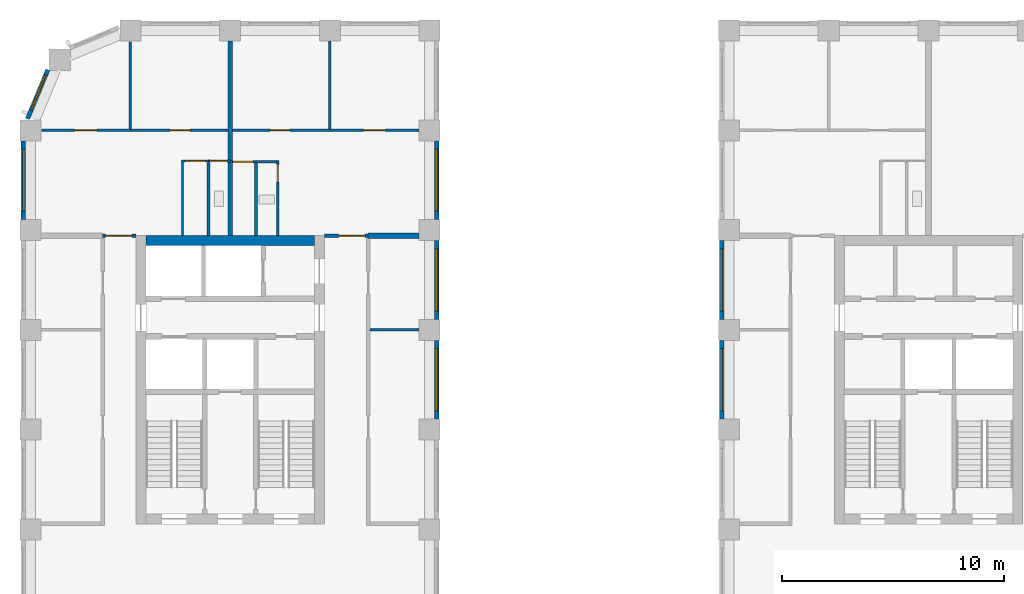
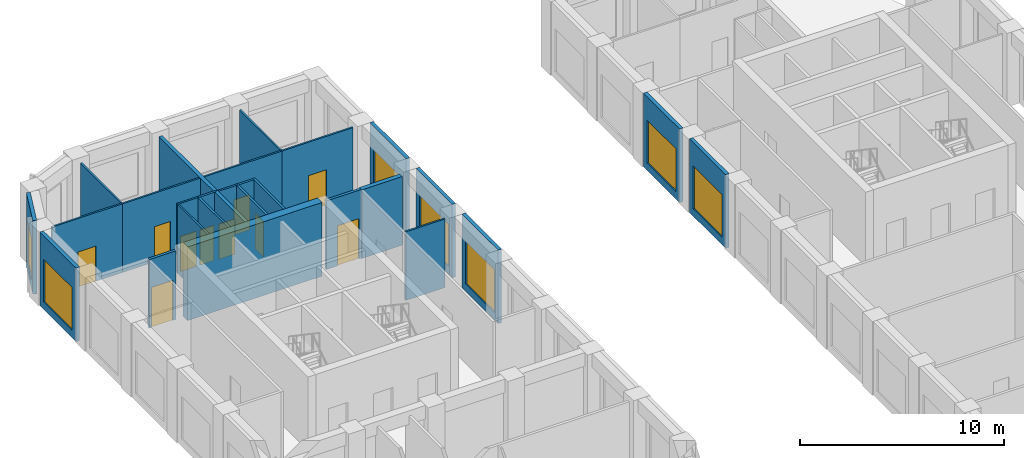
# One storey, part 7 of 13: 28 walls, 10 doors, 7 windows, 17 openings.
"""IFC4 building model written with IfcOpenShell, lengths in metres."""

from ifc_helpers import new_model, si_unit, direction, frame, frame_2d, origin, place, context, subcontext, project, spatial, rectangle, extrude, material, layer, layer_set, type_object, element, fill, save


model = new_model("IFC4")

# Units and contexts
model_context = context("Model", 3, precision=1e-05, world=origin(), true_north=direction((0.0, 1.0)))
body_context = subcontext(model_context, "Body", "Model", "MODEL_VIEW")
ifc_project = project(units=[si_unit("LENGTHUNIT", "METRE"), si_unit("AREAUNIT", "SQUARE_METRE"), si_unit("VOLUMEUNIT", "CUBIC_METRE"), si_unit("PLANEANGLEUNIT", "RADIAN"), si_unit("MASSUNIT", "GRAM", prefix="KILO")], contexts=[model_context])

# Site, building, storey
site_placement = place(None, origin())
site = spatial("IfcSite", under=ifc_project, at=site_placement, CompositionType="ELEMENT")
building_placement = place(site_placement, origin())
building = spatial("IfcBuilding", under=site, at=building_placement, Name="Girih Gate Residences", CompositionType="ELEMENT")
storey_placement = place(building_placement, frame((0.0, 0.0, 159.39990234375)))
storey = spatial("IfcBuildingStorey", under=building, at=storey_placement, Name="L44", CompositionType="ELEMENT", Elevation=159.39990234375)

# Wall
ifc_material_1 = material(Name="Gypsum board on steel studs", Category="steel")
ifc_layer_1 = layer(ifc_material_1, 0.25)
ifc_layer_set_1 = layer_set([ifc_layer_1], Name="Acoustic separating wall 250 mm")
wall_type_1 = type_object("IfcWallType", Name="Acoustic separating wall 250 mm", PredefinedType="PARTITIONING", material=ifc_layer_set_1)
wall_1_placement = place(storey_placement, frame((15.22509765625, 40.25, 0.0), z_axis=(0.0, 0.0, 1.0), x_axis=(1.0, 0.0, 0.0)))
element("IfcWall", 1, at=wall_1_placement, inside=storey, type_object=wall_type_1, Name="L44 partition", PredefinedType="PARTITIONING", context=body_context, shape_type="SweptSolid", body=[
    extrude(rectangle(XDim=2.2998046875, YDim=0.25, at=frame_2d((1.14990234375, 0.0))), origin(), (0.0, 0.0, 1.0), 4.10009765625),
])

# Wall, opening, door
ifc_layer_2 = layer(ifc_material_1, 0.14990234375)
ifc_layer_set_2 = layer_set([ifc_layer_2], Name="Compartment wall 150 mm")
wall_type_2 = type_object("IfcWallType", Name="Compartment wall 150 mm", PredefinedType="PARTITIONING", material=ifc_layer_set_2)
wall_2_placement = place(storey_placement, frame((3.25, 40.25, 0.0), z_axis=(0.0, 0.0, 1.0), x_axis=(1.0, 0.0, 0.0)))
wall_2 = element("IfcWall", 2, at=wall_2_placement, inside=storey, type_object=wall_type_2, Name="L44 partition", PredefinedType="PARTITIONING", context=body_context, shape_type="SweptSolid", body=[
    extrude(rectangle(XDim=1.5, YDim=0.14990234375, at=frame_2d((0.75, 0.0))), origin(), (0.0, 0.0, 1.0), 4.10009765625),
])
opening_1_placement = place(wall_2_placement, frame((0.1298828125, 0.0, 0.0)))
opening_1 = element("IfcOpeningElement", 3, at=opening_1_placement, cuts=wall_2, Name="Opening A44-011", PredefinedType="OPENING", context=body_context, shape_type="SweptSolid", body=[
    extrude(rectangle(XDim=1.199951171875, YDim=2.39990234375, at=frame_2d((0.60009765625, 1.199951171875))), frame((0.0, 0.0849609375, 0.0), z_axis=(0.0, -1.0, 0.0), x_axis=(1.0, 0.0, 0.0)), (0.0, 0.0, 1.0), 0.169921875),
])
ifc_material_2 = material(Name="Timber, fire-rated core", Category="wood")
door_type_1 = type_object("IfcDoorType", Name="Villa entrance door 1200x2400 FD30S", OperationType="NOTDEFINED", PredefinedType="DOOR", material=ifc_material_2)
door_1_placement = place(opening_1_placement, origin())
door_1 = element("IfcDoor", 4, at=door_1_placement, inside=storey, type_object=door_type_1, Name="Door A44-011", OperationType="SINGLE_SWING_LEFT", OverallHeight=2.39990234375, OverallWidth=1.199951171875, PredefinedType="DOOR", context=body_context, shape_type="SweptSolid", body=[
    extrude(rectangle(XDim=1.199951171875, YDim=2.39990234375, at=frame_2d((0.60009765625, 1.199951171875))), frame((0.0, 0.02490234375, 0.0), z_axis=(0.0, -1.0, 0.0), x_axis=(1.0, 0.0, 0.0)), (0.0, 0.0, 1.0), 0.050048828125),
])
fill(opening_1, door_1)

wall_3_placement = place(storey_placement, frame((13.25, 40.25, 0.0), z_axis=(0.0, 0.0, 1.0), x_axis=(1.0, 0.0, 0.0)))
wall_3 = element("IfcWall", 5, at=wall_3_placement, inside=storey, type_object=wall_type_2, Name="L44 partition", PredefinedType="PARTITIONING", context=body_context, shape_type="SweptSolid", body=[
    extrude(rectangle(XDim=1.97509765625, YDim=0.14990234375, at=frame_2d((0.987548828125, 0.0))), origin(), (0.0, 0.0, 1.0), 4.10009765625),
])
opening_2_placement = place(wall_3_placement, frame((0.64501953125, 0.0, 0.0)))
opening_2 = element("IfcOpeningElement", 6, at=opening_2_placement, cuts=wall_3, Name="Opening A44-016", PredefinedType="OPENING", context=body_context, shape_type="SweptSolid", body=[
    extrude(rectangle(XDim=1.199951171875, YDim=2.39990234375, at=frame_2d((0.60009765625, 1.199951171875))), frame((0.0, 0.0849609375, 0.0), z_axis=(0.0, -1.0, 0.0), x_axis=(1.0, 0.0, 0.0)), (0.0, 0.0, 1.0), 0.169921875),
])
door_2_placement = place(opening_2_placement, origin())
door_2 = element("IfcDoor", 7, at=door_2_placement, inside=storey, type_object=door_type_1, Name="Door A44-016", OperationType="SINGLE_SWING_RIGHT", OverallHeight=2.39990234375, OverallWidth=1.199951171875, PredefinedType="DOOR", context=body_context, shape_type="SweptSolid", body=[
    extrude(rectangle(XDim=1.199951171875, YDim=2.39990234375, at=frame_2d((0.60009765625, 1.199951171875))), frame((0.0, 0.02490234375, 0.0), z_axis=(0.0, -1.0, 0.0), x_axis=(1.0, 0.0, 0.0)), (0.0, 0.0, 1.0), 0.050048828125),
])
fill(opening_2, door_2)

# Wall
ifc_material_3 = material(Name="Concrete C60/75", Category="concrete")
ifc_layer_3 = layer(ifc_material_3, 0.449951171875)
ifc_layer_set_3 = layer_set([ifc_layer_3], Name="Core wall RC 450 Concrete C60/75")
wall_type_3 = type_object("IfcWallType", Name="Core wall RC 450 Concrete C60/75", PredefinedType="SOLIDWALL", material=ifc_layer_set_3)
wall_4_placement = place(storey_placement, frame((5.199951171875, 40.02490234375, 0.0), z_axis=(0.0, 0.0, 1.0), x_axis=(1.0, 0.0, 0.0)))
element("IfcWall", 8, at=wall_4_placement, inside=storey, type_object=wall_type_3, Name="Core wall W-N L44", PredefinedType="SOLIDWALL", context=body_context, shape_type="SweptSolid", body=[
    extrude(rectangle(XDim=7.60009765625, YDim=0.449951171875, at=frame_2d((3.800048828125, 0.0))), origin(), (0.0, 0.0, 1.0), 4.400146484375),
])

# Wall, opening, door
ifc_layer_4 = layer(ifc_material_1, 0.10009765625)
ifc_layer_set_4 = layer_set([ifc_layer_4], Name="Partition 100 mm")
wall_type_4 = type_object("IfcWallType", Name="Partition 100 mm", PredefinedType="PARTITIONING", material=ifc_layer_set_4)
wall_5_placement = place(storey_placement, frame((4.5, 45.0, 0.0), z_axis=(0.0, 0.0, 1.0), x_axis=(1.0, 0.0, 0.0)))
wall_5 = element("IfcWall", 9, at=wall_5_placement, inside=storey, type_object=wall_type_4, Name="L44 partition", PredefinedType="PARTITIONING", context=body_context, shape_type="SweptSolid", body=[
    extrude(rectangle(XDim=4.39990234375, YDim=0.10009765625, at=frame_2d((2.199951171875, 0.0))), origin(), (0.0, 0.0, 1.0), 4.10009765625),
])
opening_3_placement = place(wall_5_placement, frame((1.800048828125, 0.0, 0.0)))
opening_3 = element("IfcOpeningElement", 10, at=opening_3_placement, cuts=wall_5, Name="Opening A44-008", PredefinedType="OPENING", context=body_context, shape_type="SweptSolid", body=[
    extrude(rectangle(XDim=0.89990234375, YDim=2.10009765625, at=frame_2d((0.449951171875, 1.050048828125))), frame((0.0, 0.06005859375, 0.0), z_axis=(0.0, -1.0, 0.0), x_axis=(1.0, 0.0, 0.0)), (0.0, 0.0, 1.0), 0.1201171875),
])
ifc_material_4 = material(Name="Timber", Category="wood")
door_type_2 = type_object("IfcDoorType", Name="Bedroom door 900x2100", OperationType="NOTDEFINED", PredefinedType="DOOR", material=ifc_material_4)
door_3_placement = place(opening_3_placement, origin())
door_3 = element("IfcDoor", 11, at=door_3_placement, inside=storey, type_object=door_type_2, Name="Door A44-008", OperationType="SINGLE_SWING_RIGHT", OverallHeight=2.10009765625, OverallWidth=0.89990234375, PredefinedType="DOOR", context=body_context, shape_type="SweptSolid", body=[
    extrude(rectangle(XDim=0.89990234375, YDim=2.10009765625, at=frame_2d((0.449951171875, 1.050048828125))), frame((0.0, 0.02490234375, 0.0), z_axis=(0.0, -1.0, 0.0), x_axis=(1.0, 0.0, 0.0)), (0.0, 0.0, 1.0), 0.050048828125),
])
fill(opening_3, door_3)

# Wall
wall_6_placement = place(storey_placement, frame((4.5, 45.050048828125, 0.0), z_axis=(0.0, 0.0, 1.0), x_axis=(0.0, 1.0, 0.0)))
element("IfcWall", 12, at=wall_6_placement, inside=storey, type_object=wall_type_4, Name="L44 partition", PredefinedType="PARTITIONING", context=body_context, shape_type="SweptSolid", body=[
    extrude(rectangle(XDim=3.935791015625, YDim=0.10009765625, at=frame_2d((1.9677734375, 0.0))), origin(), (0.0, 0.0, 1.0), 4.10009765625),
])

# Wall, opening, door
wall_7_placement = place(storey_placement, frame((8.022705078125, 43.6201171875, 0.0), z_axis=(0.0, 0.0, 1.0), x_axis=(-1.0, 0.0, 0.0)))
wall_7 = element("IfcWall", 13, at=wall_7_placement, inside=storey, type_object=wall_type_4, Name="L44 partition", PredefinedType="PARTITIONING", context=body_context, shape_type="SweptSolid", body=[
    extrude(rectangle(XDim=1.22265625, YDim=0.10009765625, at=frame_2d((0.611328125, 0.0))), origin(), (0.0, 0.0, 1.0), 4.10009765625),
])
opening_4_placement = place(wall_7_placement, frame((0.136474609375, 0.0, 0.0)))
opening_4 = element("IfcOpeningElement", 14, at=opening_4_placement, cuts=wall_7, Name="Opening A44-009", PredefinedType="OPENING", context=body_context, shape_type="SweptSolid", body=[
    extrude(rectangle(XDim=0.89990234375, YDim=2.10009765625, at=frame_2d((0.449951171875, 1.050048828125))), frame((0.0, 0.06005859375, 0.0), z_axis=(0.0, -1.0, 0.0), x_axis=(1.0, 0.0, 0.0)), (0.0, 0.0, 1.0), 0.1201171875),
])
door_type_3 = type_object("IfcDoorType", Name="Kitchen door 900x2100", OperationType="NOTDEFINED", PredefinedType="DOOR", material=ifc_material_4)
door_4_placement = place(opening_4_placement, origin())
door_4 = element("IfcDoor", 15, at=door_4_placement, inside=storey, type_object=door_type_3, Name="Door A44-009", OperationType="SINGLE_SWING_LEFT", OverallHeight=2.10009765625, OverallWidth=0.89990234375, PredefinedType="DOOR", context=body_context, shape_type="SweptSolid", body=[
    extrude(rectangle(XDim=0.89990234375, YDim=2.10009765625, at=frame_2d((0.449951171875, 1.050048828125))), frame((0.0, 0.02490234375, 0.0), z_axis=(0.0, -1.0, 0.0), x_axis=(1.0, 0.0, 0.0)), (0.0, 0.0, 1.0), 0.050048828125),
])
fill(opening_4, door_4)

# Wall
wall_8_placement = place(storey_placement, frame((6.85009765625, 40.25, 0.0), z_axis=(0.0, 0.0, 1.0), x_axis=(0.0, 1.0, 0.0)))
element("IfcWall", 16, at=wall_8_placement, inside=storey, type_object=wall_type_4, Name="L44 partition", PredefinedType="PARTITIONING", context=body_context, shape_type="SweptSolid", body=[
    extrude(rectangle(XDim=3.320068359375, YDim=0.10009765625, at=frame_2d((1.66015625, 0.0))), origin(), (0.0, 0.0, 1.0), 4.10009765625),
])

# Wall, opening, door
wall_9_placement = place(storey_placement, frame((0.51416015625, 45.0, 0.0), z_axis=(0.0, 0.0, 1.0), x_axis=(1.0, 0.0, 0.0)))
wall_9 = element("IfcWall", 17, at=wall_9_placement, inside=storey, type_object=wall_type_4, Name="L44 partition", PredefinedType="PARTITIONING", context=body_context, shape_type="SweptSolid", body=[
    extrude(rectangle(XDim=3.98583984375, YDim=0.10009765625, at=frame_2d((1.992919921875, 0.0))), origin(), (0.0, 0.0, 1.0), 4.10009765625),
])
opening_5_placement = place(wall_9_placement, frame((1.473388671875, 0.0, 0.0)))
opening_5 = element("IfcOpeningElement", 18, at=opening_5_placement, cuts=wall_9, Name="Opening A44-010", PredefinedType="OPENING", context=body_context, shape_type="SweptSolid", body=[
    extrude(rectangle(XDim=1.0, YDim=2.10009765625, at=frame_2d((0.5, 1.050048828125))), frame((0.0, 0.06005859375, 0.0), z_axis=(0.0, -1.0, 0.0), x_axis=(1.0, 0.0, 0.0)), (0.0, 0.0, 1.0), 0.1201171875),
])
door_type_4 = type_object("IfcDoorType", Name="Living room door 1000x2100", OperationType="NOTDEFINED", PredefinedType="DOOR", material=ifc_material_4)
door_5_placement = place(opening_5_placement, origin())
door_5 = element("IfcDoor", 19, at=door_5_placement, inside=storey, type_object=door_type_4, Name="Door A44-010", OperationType="SINGLE_SWING_LEFT", OverallHeight=2.10009765625, OverallWidth=1.0, PredefinedType="DOOR", context=body_context, shape_type="SweptSolid", body=[
    extrude(rectangle(XDim=1.0, YDim=2.10009765625, at=frame_2d((0.5, 1.050048828125))), frame((0.0, 0.02490234375, 0.0), z_axis=(0.0, -1.0, 0.0), x_axis=(1.0, 0.0, 0.0)), (0.0, 0.0, 1.0), 0.050048828125),
])
fill(opening_5, door_5)

wall_10_placement = place(storey_placement, frame((9.10009765625, 45.0, 0.0), z_axis=(0.0, 0.0, 1.0), x_axis=(1.0, 0.0, 0.0)))
wall_10 = element("IfcWall", 20, at=wall_10_placement, inside=storey, type_object=wall_type_4, Name="L44 partition", PredefinedType="PARTITIONING", context=body_context, shape_type="SweptSolid", body=[
    extrude(rectangle(XDim=4.39990234375, YDim=0.10009765625, at=frame_2d((2.199951171875, 0.0))), origin(), (0.0, 0.0, 1.0), 4.10009765625),
])
opening_6_placement = place(wall_10_placement, frame((1.699951171875, 0.0, 0.0)))
opening_6 = element("IfcOpeningElement", 21, at=opening_6_placement, cuts=wall_10, Name="Opening A44-013", PredefinedType="OPENING", context=body_context, shape_type="SweptSolid", body=[
    extrude(rectangle(XDim=0.89990234375, YDim=2.10009765625, at=frame_2d((0.449951171875, 1.050048828125))), frame((0.0, 0.06005859375, 0.0), z_axis=(0.0, -1.0, 0.0), x_axis=(1.0, 0.0, 0.0)), (0.0, 0.0, 1.0), 0.1201171875),
])
door_6_placement = place(opening_6_placement, origin())
door_6 = element("IfcDoor", 22, at=door_6_placement, inside=storey, type_object=door_type_2, Name="Door A44-013", OperationType="SINGLE_SWING_LEFT", OverallHeight=2.10009765625, OverallWidth=0.89990234375, PredefinedType="DOOR", context=body_context, shape_type="SweptSolid", body=[
    extrude(rectangle(XDim=0.89990234375, YDim=2.10009765625, at=frame_2d((0.449951171875, 1.050048828125))), frame((0.0, 0.02490234375, 0.0), z_axis=(0.0, -1.0, 0.0), x_axis=(1.0, 0.0, 0.0)), (0.0, 0.0, 1.0), 0.050048828125),
])
fill(opening_6, door_6)

# Wall
wall_11_placement = place(storey_placement, frame((13.5, 45.050048828125, 0.0), z_axis=(0.0, 0.0, 1.0), x_axis=(0.0, 1.0, 0.0)))
element("IfcWall", 23, at=wall_11_placement, inside=storey, type_object=wall_type_4, Name="L44 partition", PredefinedType="PARTITIONING", context=body_context, shape_type="SweptSolid", body=[
    extrude(rectangle(XDim=3.974853515625, YDim=0.10009765625, at=frame_2d((1.9873046875, 0.0))), origin(), (0.0, 0.0, 1.0), 4.10009765625),
])

# Wall, opening, door
wall_12_placement = place(storey_placement, frame((10.172607421875, 43.580078125, 0.0), z_axis=(0.0, 0.0, 1.0), x_axis=(-1.0, 0.0, 0.0)))
wall_12 = element("IfcWall", 24, at=wall_12_placement, inside=storey, type_object=wall_type_4, Name="L44 partition", PredefinedType="PARTITIONING", context=body_context, shape_type="SweptSolid", body=[
    extrude(rectangle(XDim=1.072509765625, YDim=0.10009765625, at=frame_2d((0.5361328125, 0.0))), origin(), (0.0, 0.0, 1.0), 4.10009765625),
])
opening_7_placement = place(wall_12_placement, frame((0.136474609375, 0.0, 0.0)))
opening_7 = element("IfcOpeningElement", 25, at=opening_7_placement, cuts=wall_12, Name="Opening A44-014", PredefinedType="OPENING", context=body_context, shape_type="SweptSolid", body=[
    extrude(rectangle(XDim=0.89990234375, YDim=2.10009765625, at=frame_2d((0.449951171875, 1.050048828125))), frame((0.0, 0.06005859375, 0.0), z_axis=(0.0, -1.0, 0.0), x_axis=(1.0, 0.0, 0.0)), (0.0, 0.0, 1.0), 0.1201171875),
])
door_7_placement = place(opening_7_placement, origin())
door_7 = element("IfcDoor", 26, at=door_7_placement, inside=storey, type_object=door_type_3, Name="Door A44-014", OperationType="SINGLE_SWING_RIGHT", OverallHeight=2.10009765625, OverallWidth=0.89990234375, PredefinedType="DOOR", context=body_context, shape_type="SweptSolid", body=[
    extrude(rectangle(XDim=0.89990234375, YDim=2.10009765625, at=frame_2d((0.449951171875, 1.050048828125))), frame((0.0, 0.02490234375, 0.0), z_axis=(0.0, -1.0, 0.0), x_axis=(1.0, 0.0, 0.0)), (0.0, 0.0, 1.0), 0.050048828125),
])
fill(opening_7, door_7)

wall_13_placement = place(storey_placement, frame((13.5, 45.0, 0.0), z_axis=(0.0, 0.0, 1.0), x_axis=(1.0, 0.0, 0.0)))
wall_13 = element("IfcWall", 27, at=wall_13_placement, inside=storey, type_object=wall_type_4, Name="L44 partition", PredefinedType="PARTITIONING", context=body_context, shape_type="SweptSolid", body=[
    extrude(rectangle(XDim=4.02490234375, YDim=0.10009765625, at=frame_2d((2.012451171875, 0.0))), origin(), (0.0, 0.0, 1.0), 4.10009765625),
])
opening_8_placement = place(wall_13_placement, frame((1.512451171875, 0.0, 0.0)))
opening_8 = element("IfcOpeningElement", 28, at=opening_8_placement, cuts=wall_13, Name="Opening A44-015", PredefinedType="OPENING", context=body_context, shape_type="SweptSolid", body=[
    extrude(rectangle(XDim=1.0, YDim=2.10009765625, at=frame_2d((0.5, 1.050048828125))), frame((0.0, 0.06005859375, 0.0), z_axis=(0.0, -1.0, 0.0), x_axis=(1.0, 0.0, 0.0)), (0.0, 0.0, 1.0), 0.1201171875),
])
door_8_placement = place(opening_8_placement, origin())
door_8 = element("IfcDoor", 29, at=door_8_placement, inside=storey, type_object=door_type_4, Name="Door A44-015", OperationType="SINGLE_SWING_RIGHT", OverallHeight=2.10009765625, OverallWidth=1.0, PredefinedType="DOOR", context=body_context, shape_type="SweptSolid", body=[
    extrude(rectangle(XDim=1.0, YDim=2.10009765625, at=frame_2d((0.5, 1.050048828125))), frame((0.0, 0.02490234375, 0.0), z_axis=(0.0, -1.0, 0.0), x_axis=(1.0, 0.0, 0.0)), (0.0, 0.0, 1.0), 0.050048828125),
])
fill(opening_8, door_8)

# Walls
wall_14_placement = place(storey_placement, frame((15.300048828125, 36.0, 0.0), z_axis=(0.0, 0.0, 1.0), x_axis=(1.0, 0.0, 0.0)))
element("IfcWall", 30, at=wall_14_placement, inside=storey, type_object=wall_type_4, Name="L44 partition", PredefinedType="PARTITIONING", context=body_context, shape_type="SweptSolid", body=[
    extrude(rectangle(XDim=2.224853515625, YDim=0.10009765625, at=frame_2d((1.1123046875, 0.0))), origin(), (0.0, 0.0, 1.0), 4.10009765625),
])
ifc_layer_5 = layer(ifc_material_1, 0.199951171875)
ifc_layer_set_5 = layer_set([ifc_layer_5], Name="Party wall 200 mm")
wall_type_5 = type_object("IfcWallType", Name="Party wall 200 mm", PredefinedType="PARTITIONING", material=ifc_layer_set_5)
wall_15_placement = place(storey_placement, frame((9.0, 40.25, 0.0), z_axis=(0.0, 0.0, 1.0), x_axis=(0.0, 1.0, 0.0)))
element("IfcWall", 31, at=wall_15_placement, inside=storey, type_object=wall_type_5, Name="L44 partition", PredefinedType="PARTITIONING", context=body_context, shape_type="SweptSolid", body=[
    extrude(rectangle(XDim=3.3798828125, YDim=0.199951171875, at=frame_2d((1.68994140625, 0.0))), origin(), (0.0, 0.0, 1.0), 4.10009765625),
])
wall_16_placement = place(storey_placement, frame((9.0, 43.6201171875, 0.0), z_axis=(0.0, 0.0, 1.0), x_axis=(0.0, 1.0, 0.0)))
element("IfcWall", 32, at=wall_16_placement, inside=storey, type_object=wall_type_5, Name="L44 partition", PredefinedType="PARTITIONING", context=body_context, shape_type="SweptSolid", body=[
    extrude(rectangle(XDim=5.40478515625, YDim=0.199951171875, at=frame_2d((2.702392578125, 0.0))), origin(), (0.0, 0.0, 1.0), 4.10009765625),
])

# Wall, opening, window
ifc_material_5 = material(Name="Precast concrete C50/60", Category="concrete")
ifc_layer_6 = layer(ifc_material_5, 0.06005859375, Name="Outer leaf")
ifc_material_6 = material(Name="Rigid PIR insulation")
ifc_layer_7 = layer(ifc_material_6, 0.090087890625, Name="Insulation")
ifc_material_7 = material(Name="Precast concrete C40/50", Category="concrete")
ifc_layer_8 = layer(ifc_material_7, 0.050048828125, Name="Inner leaf")
ifc_layer_set_6 = layer_set([ifc_layer_6, ifc_layer_7, ifc_layer_8], Name="Precast concrete C50/60 external wall 200")
wall_type_6 = type_object("IfcWallType", Name="Precast concrete C50/60 external wall 200", PredefinedType="SOLIDWALL", material=ifc_layer_set_6)
wall_17_placement = place(storey_placement, frame((-0.13916015625, 45.51318359375, 0.0), z_axis=(0.0, 0.0, 1.0), x_axis=(0.382680855588, 0.923880599843, 0.0)))
wall_17 = element("IfcWall", 33, at=wall_17_placement, inside=storey, type_object=wall_type_6, Name="External wall NW0013_0482.0", PredefinedType="SOLIDWALL", context=body_context, shape_type="SweptSolid", body=[
    extrude(rectangle(XDim=2.402587890625, YDim=0.199951171875, at=frame_2d((1.201171875, 0.0))), origin(), (0.0, 0.0, 1.0), 4.400146484375),
])
opening_9_placement = place(wall_17_placement, frame((0.451171875, 0.0, 0.449951171875)))
opening_9 = element("IfcOpeningElement", 34, at=opening_9_placement, cuts=wall_17, Name="Opening W-2F", PredefinedType="OPENING", context=body_context, shape_type="SweptSolid", body=[
    extrude(rectangle(XDim=1.699951171875, YDim=2.550048828125, at=frame_2d((0.85009765625, 1.27490234375))), frame((0.0, 0.10986328125, 0.0), z_axis=(0.0, -1.0, 0.0), x_axis=(1.0, 0.0, 0.0)), (0.0, 0.0, 1.0), 0.219970703125),
])
ifc_material_8 = material(Name="Double glazing in aluminium frame", Category="aluminium")
window_type_1 = type_object("IfcWindowType", Name="Window W-2F 1700x2550", PartitioningType="SINGLE_PANEL", PredefinedType="WINDOW", material=ifc_material_8)
window_1_placement = place(opening_9_placement, origin())
window_1 = element("IfcWindow", 35, at=window_1_placement, inside=storey, type_object=window_type_1, Name="Window W-2F NW0013_0482.0", OverallHeight=2.550048828125, OverallWidth=1.699951171875, PartitioningType="SINGLE_PANEL", PredefinedType="WINDOW", context=body_context, shape_type="SweptSolid", body=[
    extrude(rectangle(XDim=1.699951171875, YDim=2.550048828125, at=frame_2d((0.85009765625, 1.27490234375))), frame((0.0, 0.030029296875, 0.0), z_axis=(0.0, -1.0, 0.0), x_axis=(1.0, 0.0, 0.0)), (0.0, 0.0, 1.0), 0.06005859375),
])
fill(opening_9, window_1)

wall_18_placement = place(storey_placement, frame((-0.324951171875, 40.97509765625, 0.0), z_axis=(0.0, 0.0, 1.0), x_axis=(0.0, 1.0, 0.0)))
wall_18 = element("IfcWall", 36, at=wall_18_placement, inside=storey, type_object=wall_type_6, Name="External wall W0000_0450.0", PredefinedType="SOLIDWALL", context=body_context, shape_type="SweptSolid", body=[
    extrude(rectangle(XDim=3.5498046875, YDim=0.199951171875, at=frame_2d((1.77490234375, 0.0))), origin(), (0.0, 0.0, 1.0), 4.400146484375),
])
opening_10_placement = place(wall_18_placement, frame((0.375, 0.0, 0.449951171875)))
opening_10 = element("IfcOpeningElement", 37, at=opening_10_placement, cuts=wall_18, Name="Opening W-6A", PredefinedType="OPENING", context=body_context, shape_type="SweptSolid", body=[
    extrude(rectangle(XDim=2.800048828125, YDim=2.550048828125, at=frame_2d((1.39990234375, 1.27490234375))), frame((0.0, 0.10986328125, 0.0), z_axis=(0.0, -1.0, 0.0), x_axis=(1.0, 0.0, 0.0)), (0.0, 0.0, 1.0), 0.219970703125),
])
window_type_2 = type_object("IfcWindowType", Name="Window W-6A 2800x2550", PartitioningType="SINGLE_PANEL", PredefinedType="WINDOW", material=ifc_material_8)
window_2_placement = place(opening_10_placement, origin())
window_2 = element("IfcWindow", 38, at=window_2_placement, inside=storey, type_object=window_type_2, Name="Window W-6A W0000_0450.0", OverallHeight=2.550048828125, OverallWidth=2.800048828125, PartitioningType="SINGLE_PANEL", PredefinedType="WINDOW", context=body_context, shape_type="SweptSolid", body=[
    extrude(rectangle(XDim=2.800048828125, YDim=2.550048828125, at=frame_2d((1.39990234375, 1.27490234375))), frame((0.0, 0.030029296875, 0.0), z_axis=(0.0, -1.0, 0.0), x_axis=(1.0, 0.0, 0.0)), (0.0, 0.0, 1.0), 0.06005859375),
])
fill(opening_10, window_2)

wall_19_placement = place(storey_placement, frame((18.324951171875, 35.52490234375, 0.0), z_axis=(0.0, 0.0, 1.0), x_axis=(0.0, -1.0, 0.0)))
wall_19 = element("IfcWall", 39, at=wall_19_placement, inside=storey, type_object=wall_type_6, Name="External wall E0180_0000.7", PredefinedType="SOLIDWALL", context=body_context, shape_type="SweptSolid", body=[
    extrude(rectangle(XDim=3.5498046875, YDim=0.199951171875, at=frame_2d((1.77490234375, 0.0))), origin(), (0.0, 0.0, 1.0), 4.400146484375),
])
opening_11_placement = place(wall_19_placement, frame((0.375, 0.0, 0.449951171875)))
opening_11 = element("IfcOpeningElement", 40, at=opening_11_placement, cuts=wall_19, Name="Opening W-6A", PredefinedType="OPENING", context=body_context, shape_type="SweptSolid", body=[
    extrude(rectangle(XDim=2.800048828125, YDim=2.550048828125, at=frame_2d((1.39990234375, 1.27490234375))), frame((0.0, 0.10986328125, 0.0), z_axis=(0.0, -1.0, 0.0), x_axis=(1.0, 0.0, 0.0)), (0.0, 0.0, 1.0), 0.219970703125),
])
window_3_placement = place(opening_11_placement, origin())
window_3 = element("IfcWindow", 41, at=window_3_placement, inside=storey, type_object=window_type_2, Name="Window W-6A E0180_0000.7", OverallHeight=2.550048828125, OverallWidth=2.800048828125, PartitioningType="SINGLE_PANEL", PredefinedType="WINDOW", context=body_context, shape_type="SweptSolid", body=[
    extrude(rectangle(XDim=2.800048828125, YDim=2.550048828125, at=frame_2d((1.39990234375, 1.27490234375))), frame((0.0, 0.030029296875, 0.0), z_axis=(0.0, -1.0, 0.0), x_axis=(1.0, 0.0, 0.0)), (0.0, 0.0, 1.0), 0.06005859375),
])
fill(opening_11, window_3)

wall_20_placement = place(storey_placement, frame((18.324951171875, 40.02490234375, 0.0), z_axis=(0.0, 0.0, 1.0), x_axis=(0.0, -1.0, 0.0)))
wall_20 = element("IfcWall", 42, at=wall_20_placement, inside=storey, type_object=wall_type_6, Name="External wall E0180_0000.8", PredefinedType="SOLIDWALL", context=body_context, shape_type="SweptSolid", body=[
    extrude(rectangle(XDim=3.5498046875, YDim=0.199951171875, at=frame_2d((1.77490234375, 0.0))), origin(), (0.0, 0.0, 1.0), 4.400146484375),
])
opening_12_placement = place(wall_20_placement, frame((0.375, 0.0, 0.449951171875)))
opening_12 = element("IfcOpeningElement", 43, at=opening_12_placement, cuts=wall_20, Name="Opening W-6A", PredefinedType="OPENING", context=body_context, shape_type="SweptSolid", body=[
    extrude(rectangle(XDim=2.800048828125, YDim=2.550048828125, at=frame_2d((1.39990234375, 1.27490234375))), frame((0.0, 0.10986328125, 0.0), z_axis=(0.0, -1.0, 0.0), x_axis=(1.0, 0.0, 0.0)), (0.0, 0.0, 1.0), 0.219970703125),
])
window_4_placement = place(opening_12_placement, origin())
window_4 = element("IfcWindow", 44, at=window_4_placement, inside=storey, type_object=window_type_2, Name="Window W-6A E0180_0000.8", OverallHeight=2.550048828125, OverallWidth=2.800048828125, PartitioningType="SINGLE_PANEL", PredefinedType="WINDOW", context=body_context, shape_type="SweptSolid", body=[
    extrude(rectangle(XDim=2.800048828125, YDim=2.550048828125, at=frame_2d((1.39990234375, 1.27490234375))), frame((0.0, 0.030029296875, 0.0), z_axis=(0.0, -1.0, 0.0), x_axis=(1.0, 0.0, 0.0)), (0.0, 0.0, 1.0), 0.06005859375),
])
fill(opening_12, window_4)

wall_21_placement = place(storey_placement, frame((18.324951171875, 44.52490234375, 0.0), z_axis=(0.0, 0.0, 1.0), x_axis=(0.0, -1.0, 0.0)))
wall_21 = element("IfcWall", 45, at=wall_21_placement, inside=storey, type_object=wall_type_6, Name="External wall E0180_0000.9", PredefinedType="SOLIDWALL", context=body_context, shape_type="SweptSolid", body=[
    extrude(rectangle(XDim=3.5498046875, YDim=0.199951171875, at=frame_2d((1.77490234375, 0.0))), origin(), (0.0, 0.0, 1.0), 4.400146484375),
])
opening_13_placement = place(wall_21_placement, frame((0.375, 0.0, 0.449951171875)))
opening_13 = element("IfcOpeningElement", 46, at=opening_13_placement, cuts=wall_21, Name="Opening W-6A", PredefinedType="OPENING", context=body_context, shape_type="SweptSolid", body=[
    extrude(rectangle(XDim=2.800048828125, YDim=2.550048828125, at=frame_2d((1.39990234375, 1.27490234375))), frame((0.0, 0.10986328125, 0.0), z_axis=(0.0, -1.0, 0.0), x_axis=(1.0, 0.0, 0.0)), (0.0, 0.0, 1.0), 0.219970703125),
])
window_5_placement = place(opening_13_placement, origin())
window_5 = element("IfcWindow", 47, at=window_5_placement, inside=storey, type_object=window_type_2, Name="Window W-6A E0180_0000.9", OverallHeight=2.550048828125, OverallWidth=2.800048828125, PartitioningType="SINGLE_PANEL", PredefinedType="WINDOW", context=body_context, shape_type="SweptSolid", body=[
    extrude(rectangle(XDim=2.800048828125, YDim=2.550048828125, at=frame_2d((1.39990234375, 1.27490234375))), frame((0.0, 0.030029296875, 0.0), z_axis=(0.0, -1.0, 0.0), x_axis=(1.0, 0.0, 0.0)), (0.0, 0.0, 1.0), 0.06005859375),
])
fill(opening_13, window_5)

wall_22_placement = place(storey_placement, frame((31.175048828125, 36.47509765625, 0.0), z_axis=(0.0, 0.0, 1.0), x_axis=(0.0, 1.0, 0.0)))
wall_22 = element("IfcWall", 48, at=wall_22_placement, inside=storey, type_object=wall_type_6, Name="External wall W0315_0495.2", PredefinedType="SOLIDWALL", context=body_context, shape_type="SweptSolid", body=[
    extrude(rectangle(XDim=3.5498046875, YDim=0.199951171875, at=frame_2d((1.77490234375, 0.0))), origin(), (0.0, 0.0, 1.0), 4.400146484375),
])
opening_14_placement = place(wall_22_placement, frame((0.375, 0.0, 0.449951171875)))
opening_14 = element("IfcOpeningElement", 49, at=opening_14_placement, cuts=wall_22, Name="Opening W-6A", PredefinedType="OPENING", context=body_context, shape_type="SweptSolid", body=[
    extrude(rectangle(XDim=2.800048828125, YDim=2.550048828125, at=frame_2d((1.39990234375, 1.27490234375))), frame((0.0, 0.10986328125, 0.0), z_axis=(0.0, -1.0, 0.0), x_axis=(1.0, 0.0, 0.0)), (0.0, 0.0, 1.0), 0.219970703125),
])
window_6_placement = place(opening_14_placement, origin())
window_6 = element("IfcWindow", 50, at=window_6_placement, inside=storey, type_object=window_type_2, Name="Window W-6A W0315_0495.2", OverallHeight=2.550048828125, OverallWidth=2.800048828125, PartitioningType="SINGLE_PANEL", PredefinedType="WINDOW", context=body_context, shape_type="SweptSolid", body=[
    extrude(rectangle(XDim=2.800048828125, YDim=2.550048828125, at=frame_2d((1.39990234375, 1.27490234375))), frame((0.0, 0.030029296875, 0.0), z_axis=(0.0, -1.0, 0.0), x_axis=(1.0, 0.0, 0.0)), (0.0, 0.0, 1.0), 0.06005859375),
])
fill(opening_14, window_6)

wall_23_placement = place(storey_placement, frame((31.175048828125, 31.97509765625, 0.0), z_axis=(0.0, 0.0, 1.0), x_axis=(0.0, 1.0, 0.0)))
wall_23 = element("IfcWall", 51, at=wall_23_placement, inside=storey, type_object=wall_type_6, Name="External wall W0315_0495.3", PredefinedType="SOLIDWALL", context=body_context, shape_type="SweptSolid", body=[
    extrude(rectangle(XDim=3.5498046875, YDim=0.199951171875, at=frame_2d((1.77490234375, 0.0))), origin(), (0.0, 0.0, 1.0), 4.400146484375),
])
opening_15_placement = place(wall_23_placement, frame((0.375, 0.0, 0.449951171875)))
opening_15 = element("IfcOpeningElement", 52, at=opening_15_placement, cuts=wall_23, Name="Opening W-6A", PredefinedType="OPENING", context=body_context, shape_type="SweptSolid", body=[
    extrude(rectangle(XDim=2.800048828125, YDim=2.550048828125, at=frame_2d((1.39990234375, 1.27490234375))), frame((0.0, 0.10986328125, 0.0), z_axis=(0.0, -1.0, 0.0), x_axis=(1.0, 0.0, 0.0)), (0.0, 0.0, 1.0), 0.219970703125),
])
window_7_placement = place(opening_15_placement, origin())
window_7 = element("IfcWindow", 53, at=window_7_placement, inside=storey, type_object=window_type_2, Name="Window W-6A W0315_0495.3", OverallHeight=2.550048828125, OverallWidth=2.800048828125, PartitioningType="SINGLE_PANEL", PredefinedType="WINDOW", context=body_context, shape_type="SweptSolid", body=[
    extrude(rectangle(XDim=2.800048828125, YDim=2.550048828125, at=frame_2d((1.39990234375, 1.27490234375))), frame((0.0, 0.030029296875, 0.0), z_axis=(0.0, -1.0, 0.0), x_axis=(1.0, 0.0, 0.0)), (0.0, 0.0, 1.0), 0.06005859375),
])
fill(opening_15, window_7)

# Wall, opening, door
ifc_layer_9 = layer(ifc_material_1, 0.125)
ifc_layer_set_7 = layer_set([ifc_layer_9], Name="Wet room wall 125 mm")
wall_type_7 = type_object("IfcWallType", Name="Wet room wall 125 mm", PredefinedType="PARTITIONING", material=ifc_layer_set_7)
wall_24_placement = place(storey_placement, frame((9.0, 43.6201171875, 0.0), z_axis=(0.0, 0.0, 1.0), x_axis=(-1.0, 0.0, 0.0)))
wall_24 = element("IfcWall", 54, at=wall_24_placement, inside=storey, type_object=wall_type_7, Name="L44 partition", PredefinedType="PARTITIONING", context=body_context, shape_type="SweptSolid", body=[
    extrude(rectangle(XDim=0.977294921875, YDim=0.125, at=frame_2d((0.48876953125, 0.0))), origin(), (0.0, 0.0, 1.0), 4.10009765625),
])
opening_16_placement = place(wall_24_placement, frame((0.1201171875, 0.0, 0.0)))
opening_16 = element("IfcOpeningElement", 55, at=opening_16_placement, cuts=wall_24, Name="Opening A44-007", PredefinedType="OPENING", context=body_context, shape_type="SweptSolid", body=[
    extrude(rectangle(XDim=0.800048828125, YDim=2.10009765625, at=frame_2d((0.39990234375, 1.050048828125))), frame((0.0, 0.072509765625, 0.0), z_axis=(0.0, -1.0, 0.0), x_axis=(1.0, 0.0, 0.0)), (0.0, 0.0, 1.0), 0.14501953125),
])
door_type_5 = type_object("IfcDoorType", Name="Bathroom door 800x2100", OperationType="NOTDEFINED", PredefinedType="DOOR", material=ifc_material_4)
door_9_placement = place(opening_16_placement, origin())
door_9 = element("IfcDoor", 56, at=door_9_placement, inside=storey, type_object=door_type_5, Name="Door A44-007", OperationType="SINGLE_SWING_LEFT", OverallHeight=2.10009765625, OverallWidth=0.800048828125, PredefinedType="DOOR", context=body_context, shape_type="SweptSolid", body=[
    extrude(rectangle(XDim=0.800048828125, YDim=2.10009765625, at=frame_2d((0.39990234375, 1.050048828125))), frame((0.0, 0.02490234375, 0.0), z_axis=(0.0, -1.0, 0.0), x_axis=(1.0, 0.0, 0.0)), (0.0, 0.0, 1.0), 0.050048828125),
])
fill(opening_16, door_9)

# Walls
wall_25_placement = place(storey_placement, frame((8.02294921875, 40.25, 0.0), z_axis=(0.0, 0.0, 1.0), x_axis=(0.0, 1.0, 0.0)))
element("IfcWall", 57, at=wall_25_placement, inside=storey, type_object=wall_type_7, Name="L44 partition", PredefinedType="PARTITIONING", context=body_context, shape_type="SweptSolid", body=[
    extrude(rectangle(XDim=3.3076171875, YDim=0.125, at=frame_2d((1.65380859375, 0.0))), origin(), (0.0, 0.0, 1.0), 4.10009765625),
])
wall_26_placement = place(storey_placement, frame((10.172607421875, 43.580078125, 0.0), z_axis=(0.0, 0.0, 1.0), x_axis=(1.0, 0.0, 0.0)))
element("IfcWall", 58, at=wall_26_placement, inside=storey, type_object=wall_type_7, Name="L44 partition", PredefinedType="PARTITIONING", context=body_context, shape_type="SweptSolid", body=[
    extrude(rectangle(XDim=0.914794921875, YDim=0.125, at=frame_2d((0.45751953125, 0.0))), origin(), (0.0, 0.0, 1.0), 4.10009765625),
])

# Wall, opening, door
wall_27_placement = place(storey_placement, frame((11.14990234375, 40.25, 0.0), z_axis=(0.0, 0.0, 1.0), x_axis=(0.0, 1.0, 0.0)))
wall_27 = element("IfcWall", 59, at=wall_27_placement, inside=storey, type_object=wall_type_7, Name="L44 partition", PredefinedType="PARTITIONING", context=body_context, shape_type="SweptSolid", body=[
    extrude(rectangle(XDim=3.392578125, YDim=0.125, at=frame_2d((1.6962890625, 0.0))), origin(), (0.0, 0.0, 1.0), 4.10009765625),
])
opening_17_placement = place(wall_27_placement, frame((2.409912109375, 0.0, 0.0)))
opening_17 = element("IfcOpeningElement", 60, at=opening_17_placement, cuts=wall_27, Name="Opening A44-012", PredefinedType="OPENING", context=body_context, shape_type="SweptSolid", body=[
    extrude(rectangle(XDim=0.800048828125, YDim=2.10009765625, at=frame_2d((0.39990234375, 1.050048828125))), frame((0.0, 0.072509765625, 0.0), z_axis=(0.0, -1.0, 0.0), x_axis=(1.0, 0.0, 0.0)), (0.0, 0.0, 1.0), 0.14501953125),
])
door_10_placement = place(opening_17_placement, origin())
door_10 = element("IfcDoor", 61, at=door_10_placement, inside=storey, type_object=door_type_5, Name="Door A44-012", OperationType="SINGLE_SWING_RIGHT", OverallHeight=2.10009765625, OverallWidth=0.800048828125, PredefinedType="DOOR", context=body_context, shape_type="SweptSolid", body=[
    extrude(rectangle(XDim=0.800048828125, YDim=2.10009765625, at=frame_2d((0.39990234375, 1.050048828125))), frame((0.0, 0.02490234375, 0.0), z_axis=(0.0, -1.0, 0.0), x_axis=(1.0, 0.0, 0.0)), (0.0, 0.0, 1.0), 0.050048828125),
])
fill(opening_17, door_10)

# Wall
wall_28_placement = place(storey_placement, frame((10.173095703125, 40.25, 0.0), z_axis=(0.0, 0.0, 1.0), x_axis=(0.0, 1.0, 0.0)))
element("IfcWall", 62, at=wall_28_placement, inside=storey, type_object=wall_type_7, Name="L44 partition", PredefinedType="PARTITIONING", context=body_context, shape_type="SweptSolid", body=[
    extrude(rectangle(XDim=3.267578125, YDim=0.125, at=frame_2d((1.6337890625, 0.0))), origin(), (0.0, 0.0, 1.0), 4.10009765625),
])

save(model, "model.ifc")
